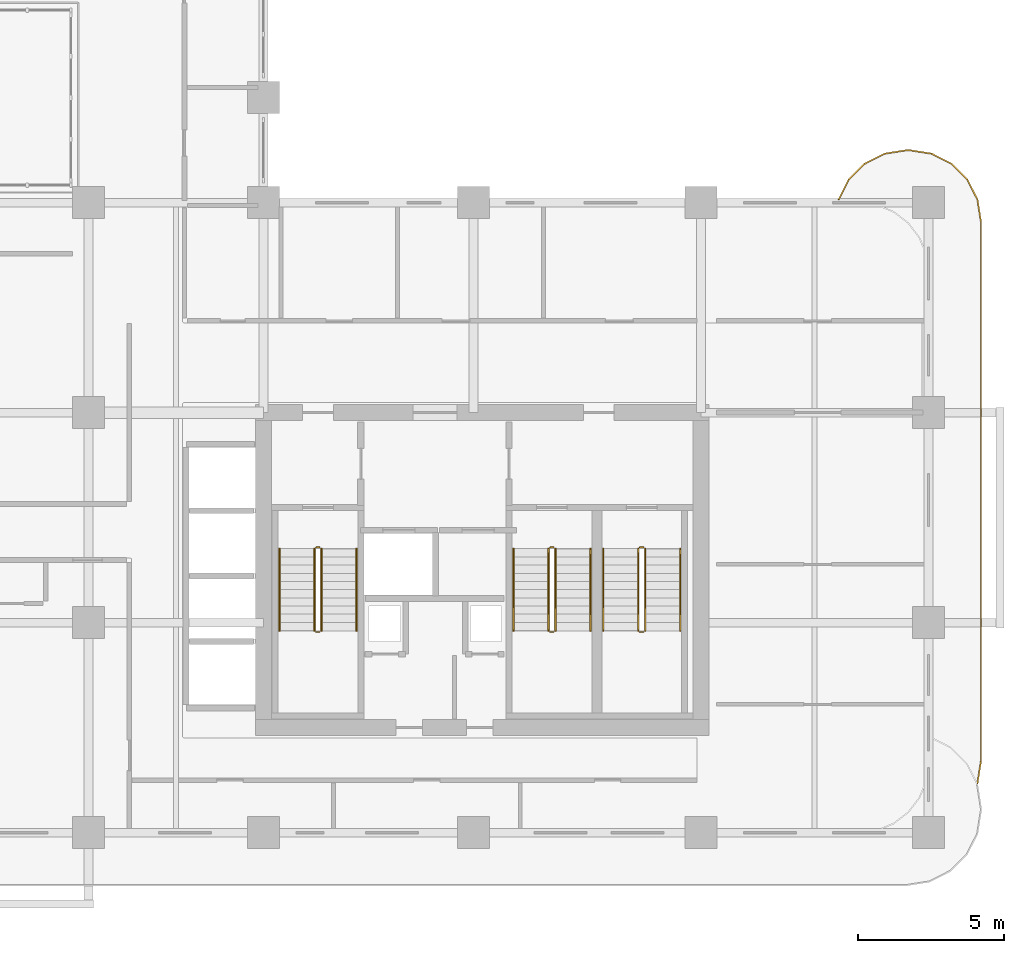
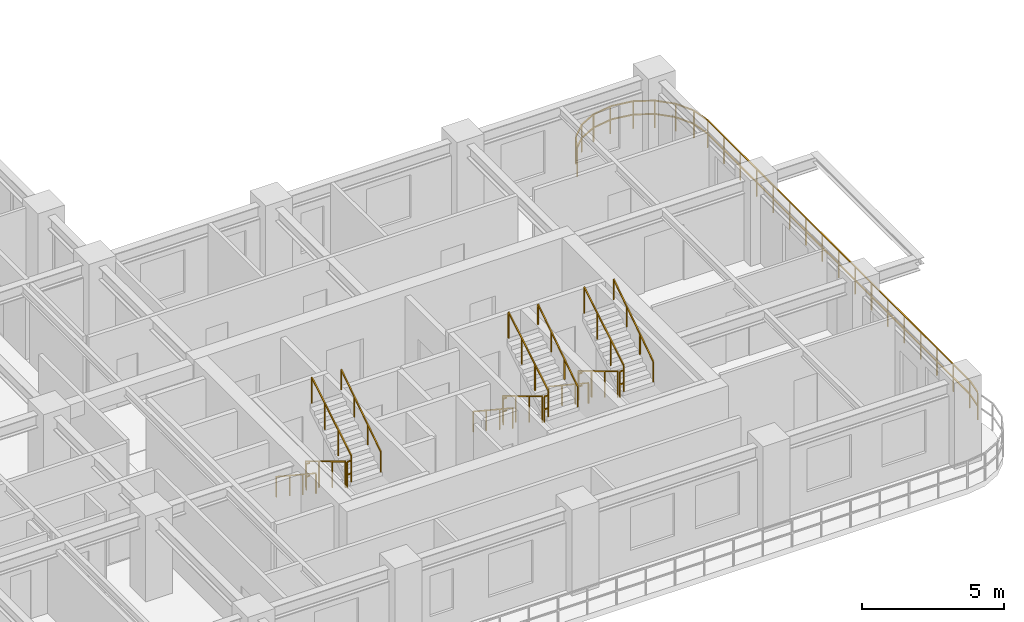
# One storey, part 20 of 22: 19 railings.
"""IFC4 building model written with IfcOpenShell, lengths in metres."""

from ifc_helpers import new_model, si_unit, derived_unit, direction, frame, origin, origin_2d, place, context, subcontext, project, spatial, rectangle, extrude, material, type_object, element, save


model = new_model("IFC4")

# Units and contexts
model_context = context("Model", 3, precision=1e-05, world=origin(), true_north=direction((0.0, 1.0)))
body_context = subcontext(model_context, "Body", "Model", "MODEL_VIEW")
ifc_project = project(units=[si_unit("LENGTHUNIT", "METRE"), si_unit("AREAUNIT", "SQUARE_METRE"), si_unit("VOLUMEUNIT", "CUBIC_METRE"), si_unit("PLANEANGLEUNIT", "RADIAN"), si_unit("MASSUNIT", "GRAM", prefix="KILO"), si_unit("THERMODYNAMICTEMPERATUREUNIT", "KELVIN"), si_unit("POWERUNIT", "WATT"), derived_unit("THERMALTRANSMITTANCEUNIT", [(si_unit("POWERUNIT", "WATT"), 1), (si_unit("AREAUNIT", "SQUARE_METRE"), -1), (si_unit("THERMODYNAMICTEMPERATUREUNIT", "KELVIN"), -1)])], contexts=[model_context])

# Site, building, storey
site_placement = place(None, origin())
site = spatial("IfcSite", under=ifc_project, at=site_placement, CompositionType="ELEMENT")
building_placement = place(site_placement, origin())
building = spatial("IfcBuilding", under=site, at=building_placement, Name="Zahravan Archway Hotel and Residences", CompositionType="ELEMENT")
storey_placement = place(building_placement, frame((0.0, 0.0, 73.10009765625)))
storey = spatial("IfcBuildingStorey", under=building, at=storey_placement, Name="L17", CompositionType="ELEMENT", Elevation=73.10009765625)

# Railings
ifc_material_1 = material(Name="Bronze & Laminated Glass Balustrade", Category="glass")
railing_type_1 = type_object("IfcRailingType", Name="RL-BAL-1200", PredefinedType="BALUSTRADE", material=ifc_material_1)
railing_1_placement = place(storey_placement, frame((54.52001953125, 21.70703125, 0.0)))
element("IfcRailing", 1, at=railing_1_placement, inside=storey, type_object=railing_type_1, Name="L17 Balustrade RL-SLB-BAL-L17-EA-1", PredefinedType="BALUSTRADE", context=body_context, shape_type="SweptSolid", body=[
    extrude(rectangle(XDim=0.048095703125, YDim=0.048095703125, at=origin_2d()), frame((0.0, 0.0, 1.17578125), z_axis=(0.453825591531, 0.891090529897, 0.0), x_axis=(-0.891090529897, 0.453825591531, 0.0)), (0.0, 0.0, 1.0), 0.7666015625),
    extrude(rectangle(XDim=0.048095703125, YDim=0.048095703125, at=origin_2d()), frame((0.0, 0.0, 0.60009765625), z_axis=(0.453825591531, 0.891090529897, 0.0), x_axis=(-0.891090529897, 0.453825591531, 0.0)), (0.0, 0.0, 1.0), 0.7666015625),
    extrude(rectangle(XDim=0.048095703125, YDim=0.048095703125, at=origin_2d()), frame((0.347900390625, 0.68310546875, 1.17578125), z_axis=(0.707106781187, 0.707106781187, 0.0), x_axis=(-0.707106781187, 0.707106781187, 0.0)), (0.0, 0.0, 1.0), 0.7666015625),
    extrude(rectangle(XDim=0.048095703125, YDim=0.048095703125, at=origin_2d()), frame((0.347900390625, 0.68310546875, 0.60009765625), z_axis=(0.707106781187, 0.707106781187, 0.0), x_axis=(-0.707106781187, 0.707106781187, 0.0)), (0.0, 0.0, 1.0), 0.7666015625),
    extrude(rectangle(XDim=0.048095703125, YDim=0.048095703125, at=origin_2d()), frame((0.889892578125, 1.22509765625, 1.17578125), z_axis=(0.891090529897, 0.453825591531, 0.0), x_axis=(-0.453825591531, 0.891090529897, 0.0)), (0.0, 0.0, 1.0), 0.7666015625),
    extrude(rectangle(XDim=0.048095703125, YDim=0.048095703125, at=origin_2d()), frame((0.889892578125, 1.22509765625, 0.60009765625), z_axis=(0.891090529897, 0.453825591531, 0.0), x_axis=(-0.453825591531, 0.891090529897, 0.0)), (0.0, 0.0, 1.0), 0.7666015625),
    extrude(rectangle(XDim=0.048095703125, YDim=0.048095703125, at=origin_2d()), frame((1.572998046875, 1.572998046875, 1.17578125), z_axis=(0.987695728695, 0.156387811283, 0.0), x_axis=(-0.156387811283, 0.987695728695, 0.0)), (0.0, 0.0, 1.0), 0.7666015625),
    extrude(rectangle(XDim=0.048095703125, YDim=0.048095703125, at=origin_2d()), frame((1.572998046875, 1.572998046875, 0.60009765625), z_axis=(0.987695728695, 0.156387811283, 0.0), x_axis=(-0.156387811283, 0.987695728695, 0.0)), (0.0, 0.0, 1.0), 0.7666015625),
    extrude(rectangle(XDim=0.048095703125, YDim=0.048095703125, at=origin_2d()), frame((2.330078125, 1.69287109375, 1.17578125), z_axis=(1.0, 0.0, 0.0), x_axis=(0.0, 1.0, 0.0)), (0.0, 0.0, 1.0), 0.099853515625),
    extrude(rectangle(XDim=0.048095703125, YDim=0.048095703125, at=origin_2d()), frame((2.330078125, 1.69287109375, 0.60009765625), z_axis=(1.0, 0.0, 0.0), x_axis=(0.0, 1.0, 0.0)), (0.0, 0.0, 1.0), 0.099853515625),
    extrude(rectangle(XDim=0.048095703125, YDim=0.048095703125, at=origin_2d()), frame((2.429931640625, 1.69287109375, 1.17578125), z_axis=(0.987695728695, -0.156387811283, 0.0), x_axis=(0.156387811283, 0.987695728695, 0.0)), (0.0, 0.0, 1.0), 0.7666015625),
    extrude(rectangle(XDim=0.048095703125, YDim=0.048095703125, at=origin_2d()), frame((2.429931640625, 1.69287109375, 0.60009765625), z_axis=(0.987695728695, -0.156387811283, 0.0), x_axis=(0.156387811283, 0.987695728695, 0.0)), (0.0, 0.0, 1.0), 0.7666015625),
    extrude(rectangle(XDim=0.048095703125, YDim=0.048095703125, at=origin_2d()), frame((3.18701171875, 1.572998046875, 1.17578125), z_axis=(0.891090529897, -0.453825591531, 0.0), x_axis=(0.453825591531, 0.891090529897, 0.0)), (0.0, 0.0, 1.0), 0.7666015625),
    extrude(rectangle(XDim=0.048095703125, YDim=0.048095703125, at=origin_2d()), frame((3.18701171875, 1.572998046875, 0.60009765625), z_axis=(0.891090529897, -0.453825591531, 0.0), x_axis=(0.453825591531, 0.891090529897, 0.0)), (0.0, 0.0, 1.0), 0.7666015625),
    extrude(rectangle(XDim=0.048095703125, YDim=0.048095703125, at=origin_2d()), frame((3.8701171875, 1.22509765625, 1.17578125), z_axis=(0.707106781187, -0.707106781187, 0.0), x_axis=(0.707106781187, 0.707106781187, 0.0)), (0.0, 0.0, 1.0), 0.7666015625),
    extrude(rectangle(XDim=0.048095703125, YDim=0.048095703125, at=origin_2d()), frame((3.8701171875, 1.22509765625, 0.60009765625), z_axis=(0.707106781187, -0.707106781187, 0.0), x_axis=(0.707106781187, 0.707106781187, 0.0)), (0.0, 0.0, 1.0), 0.7666015625),
    extrude(rectangle(XDim=0.048095703125, YDim=0.048095703125, at=origin_2d()), frame((4.412109375, 0.68310546875, 1.17578125), z_axis=(0.453825591531, -0.891090529897, 0.0), x_axis=(0.891090529897, 0.453825591531, 0.0)), (0.0, 0.0, 1.0), 0.7666015625),
    extrude(rectangle(XDim=0.048095703125, YDim=0.048095703125, at=origin_2d()), frame((4.412109375, 0.68310546875, 0.60009765625), z_axis=(0.453825591531, -0.891090529897, 0.0), x_axis=(0.891090529897, 0.453825591531, 0.0)), (0.0, 0.0, 1.0), 0.7666015625),
    extrude(rectangle(XDim=0.048095703125, YDim=0.048095703125, at=origin_2d()), frame((4.760009765625, 0.0, 1.17578125), z_axis=(0.156387811283, -0.987695728695, 0.0), x_axis=(0.987695728695, 0.156387811283, 0.0)), (0.0, 0.0, 1.0), 0.7666015625),
    extrude(rectangle(XDim=0.048095703125, YDim=0.048095703125, at=origin_2d()), frame((4.760009765625, 0.0, 0.60009765625), z_axis=(0.156387811283, -0.987695728695, 0.0), x_axis=(0.987695728695, 0.156387811283, 0.0)), (0.0, 0.0, 1.0), 0.7666015625),
    extrude(rectangle(XDim=0.048095703125, YDim=0.048095703125, at=origin_2d()), frame((4.8798828125, -0.757080078125, 1.17578125), z_axis=(0.0, -1.0, 0.0), x_axis=(1.0, 0.0, 0.0)), (0.0, 0.0, 1.0), 18.5),
    extrude(rectangle(XDim=0.048095703125, YDim=0.048095703125, at=origin_2d()), frame((4.8798828125, -0.757080078125, 0.60009765625), z_axis=(0.0, -1.0, 0.0), x_axis=(1.0, 0.0, 0.0)), (0.0, 0.0, 1.0), 18.5),
    extrude(rectangle(XDim=0.048095703125, YDim=0.048095703125, at=origin_2d()), frame((4.8798828125, -19.257080078125, 1.17578125), z_axis=(-0.156387811283, -0.987695728695, 0.0), x_axis=(0.987695728695, -0.156387811283, 0.0)), (0.0, 0.0, 1.0), 0.7666015625),
    extrude(rectangle(XDim=0.048095703125, YDim=0.048095703125, at=origin_2d()), frame((4.8798828125, -19.257080078125, 0.60009765625), z_axis=(-0.156387811283, -0.987695728695, 0.0), x_axis=(0.987695728695, -0.156387811283, 0.0)), (0.0, 0.0, 1.0), 0.7666015625),
    extrude(rectangle(XDim=0.0419921875, YDim=0.0419921875, at=origin_2d()), origin(), (0.0, 0.0, 1.0), 1.15185546875),
    extrude(rectangle(XDim=0.0419921875, YDim=0.0419921875, at=origin_2d()), frame((0.347900390625, 0.68310546875, 0.0)), (0.0, 0.0, 1.0), 1.15185546875),
    extrude(rectangle(XDim=0.0419921875, YDim=0.0419921875, at=origin_2d()), frame((0.889892578125, 1.22509765625, 0.0)), (0.0, 0.0, 1.0), 1.15185546875),
    extrude(rectangle(XDim=0.0419921875, YDim=0.0419921875, at=origin_2d()), frame((1.572998046875, 1.572998046875, 0.0)), (0.0, 0.0, 1.0), 1.15185546875),
    extrude(rectangle(XDim=0.0419921875, YDim=0.0419921875, at=origin_2d()), frame((2.330078125, 1.69287109375, 0.0)), (0.0, 0.0, 1.0), 1.15185546875),
    extrude(rectangle(XDim=0.0419921875, YDim=0.0419921875, at=origin_2d()), frame((3.18701171875, 1.572998046875, 0.0)), (0.0, 0.0, 1.0), 1.15185546875),
    extrude(rectangle(XDim=0.0419921875, YDim=0.0419921875, at=origin_2d()), frame((3.8701171875, 1.22509765625, 0.0)), (0.0, 0.0, 1.0), 1.15185546875),
    extrude(rectangle(XDim=0.0419921875, YDim=0.0419921875, at=origin_2d()), frame((4.412109375, 0.68310546875, 0.0)), (0.0, 0.0, 1.0), 1.15185546875),
    extrude(rectangle(XDim=0.0419921875, YDim=0.0419921875, at=origin_2d()), frame((4.760009765625, 0.0, 0.0)), (0.0, 0.0, 1.0), 1.15185546875),
    extrude(rectangle(XDim=0.0419921875, YDim=0.0419921875, at=origin_2d()), frame((4.8798828125, -0.757080078125, 0.0)), (0.0, 0.0, 1.0), 1.15185546875),
    extrude(rectangle(XDim=0.0419921875, YDim=0.0419921875, at=origin_2d()), frame((4.8798828125, -1.913330078125, 0.0)), (0.0, 0.0, 1.0), 1.15185546875),
    extrude(rectangle(XDim=0.0419921875, YDim=0.0419921875, at=origin_2d()), frame((4.8798828125, -3.069580078125, 0.0)), (0.0, 0.0, 1.0), 1.15185546875),
    extrude(rectangle(XDim=0.0419921875, YDim=0.0419921875, at=origin_2d()), frame((4.8798828125, -4.225830078125, 0.0)), (0.0, 0.0, 1.0), 1.15185546875),
    extrude(rectangle(XDim=0.0419921875, YDim=0.0419921875, at=origin_2d()), frame((4.8798828125, -5.382080078125, 0.0)), (0.0, 0.0, 1.0), 1.15185546875),
    extrude(rectangle(XDim=0.0419921875, YDim=0.0419921875, at=origin_2d()), frame((4.8798828125, -6.538330078125, 0.0)), (0.0, 0.0, 1.0), 1.15185546875),
    extrude(rectangle(XDim=0.0419921875, YDim=0.0419921875, at=origin_2d()), frame((4.8798828125, -7.694580078125, 0.0)), (0.0, 0.0, 1.0), 1.15185546875),
    extrude(rectangle(XDim=0.0419921875, YDim=0.0419921875, at=origin_2d()), frame((4.8798828125, -8.850830078125, 0.0)), (0.0, 0.0, 1.0), 1.15185546875),
    extrude(rectangle(XDim=0.0419921875, YDim=0.0419921875, at=origin_2d()), frame((4.8798828125, -10.007080078125, 0.0)), (0.0, 0.0, 1.0), 1.15185546875),
    extrude(rectangle(XDim=0.0419921875, YDim=0.0419921875, at=origin_2d()), frame((4.8798828125, -11.163330078125, 0.0)), (0.0, 0.0, 1.0), 1.15185546875),
    extrude(rectangle(XDim=0.0419921875, YDim=0.0419921875, at=origin_2d()), frame((4.8798828125, -12.319580078125, 0.0)), (0.0, 0.0, 1.0), 1.15185546875),
    extrude(rectangle(XDim=0.0419921875, YDim=0.0419921875, at=origin_2d()), frame((4.8798828125, -13.475830078125, 0.0)), (0.0, 0.0, 1.0), 1.15185546875),
    extrude(rectangle(XDim=0.0419921875, YDim=0.0419921875, at=origin_2d()), frame((4.8798828125, -14.632080078125, 0.0)), (0.0, 0.0, 1.0), 1.15185546875),
    extrude(rectangle(XDim=0.0419921875, YDim=0.0419921875, at=origin_2d()), frame((4.8798828125, -15.788330078125, 0.0)), (0.0, 0.0, 1.0), 1.15185546875),
    extrude(rectangle(XDim=0.0419921875, YDim=0.0419921875, at=origin_2d()), frame((4.8798828125, -16.944580078125, 0.0)), (0.0, 0.0, 1.0), 1.15185546875),
    extrude(rectangle(XDim=0.0419921875, YDim=0.0419921875, at=origin_2d()), frame((4.8798828125, -18.100830078125, 0.0)), (0.0, 0.0, 1.0), 1.15185546875),
    extrude(rectangle(XDim=0.0419921875, YDim=0.0419921875, at=origin_2d()), frame((4.8798828125, -19.257080078125, 0.0)), (0.0, 0.0, 1.0), 1.15185546875),
    extrude(rectangle(XDim=0.0419921875, YDim=0.0419921875, at=origin_2d()), frame((4.760009765625, -20.01416015625, 0.0)), (0.0, 0.0, 1.0), 1.15185546875),
])
ifc_material_2 = material(Name="Painted Tubular Steel", Category="steel")
railing_type_2 = type_object("IfcRailingType", Name="RL-STG-1150", PredefinedType="GUARDRAIL", material=ifc_material_2)
railing_2_placement = place(storey_placement, frame((36.550048828125, 9.72998046875, 0.16796875)))
element("IfcRailing", 2, at=railing_2_placement, inside=storey, type_object=railing_type_2, Name="L17 ST-A1 stair guard 1", PredefinedType="GUARDRAIL", context=body_context, shape_type="SweptSolid", body=[
    extrude(rectangle(XDim=0.048095703125, YDim=0.048095703125, at=origin_2d()), frame((0.0, 0.0, 1.1259765625), z_axis=(0.0, -0.857242210791, 0.514913383045), x_axis=(1.0, 0.0, 0.0)), (0.0, 0.0, 1.0), 3.266357421875),
    extrude(rectangle(XDim=0.0419921875, YDim=0.0419921875, at=origin_2d()), origin(), (0.0, 0.0, 1.0), 1.101806640625),
    extrude(rectangle(XDim=0.0419921875, YDim=0.0419921875, at=origin_2d()), frame((0.0, -0.933349609375, 0.560546875)), (0.0, 0.0, 1.0), 1.101806640625),
    extrude(rectangle(XDim=0.0419921875, YDim=0.0419921875, at=origin_2d()), frame((0.0, -1.86669921875, 1.121337890625)), (0.0, 0.0, 1.0), 1.101806640625),
    extrude(rectangle(XDim=0.0419921875, YDim=0.0419921875, at=origin_2d()), frame((0.0, -2.800048828125, 1.681884765625)), (0.0, 0.0, 1.0), 1.101806640625),
])
railing_3_placement = place(storey_placement, frame((36.60009765625, 6.8798828125, 1.849853515625)))
element("IfcRailing", 3, at=railing_3_placement, inside=storey, type_object=railing_type_2, Name="L17 ST-A1 stair guard 2", PredefinedType="GUARDRAIL", context=body_context, shape_type="SweptSolid", body=[
    extrude(rectangle(XDim=0.048095703125, YDim=0.048095703125, at=origin_2d()), frame((0.0, 0.0, 1.1259765625), z_axis=(1.0, 0.0, 0.0), x_axis=(0.0, 1.0, 0.0)), (0.0, 0.0, 1.0), 0.139892578125),
    extrude(rectangle(XDim=0.048095703125, YDim=0.048095703125, at=origin_2d()), frame((0.0, 0.0, 0.574951171875), z_axis=(1.0, 0.0, 0.0), x_axis=(0.0, 1.0, 0.0)), (0.0, 0.0, 1.0), 0.139892578125),
    extrude(rectangle(XDim=0.0419921875, YDim=0.0419921875, at=origin_2d()), origin(), (0.0, 0.0, 1.0), 1.101806640625),
])
railing_4_placement = place(storey_placement, frame((36.7900390625, 6.929931640625, 2.01806640625)))
element("IfcRailing", 4, at=railing_4_placement, inside=storey, type_object=railing_type_2, Name="L17 ST-A1 stair guard 3", PredefinedType="GUARDRAIL", context=body_context, shape_type="SweptSolid", body=[
    extrude(rectangle(XDim=0.048095703125, YDim=0.048095703125, at=origin_2d()), frame((0.0, 0.0, 1.1259765625), z_axis=(0.0, 0.857242210791, 0.514913383045), x_axis=(-1.0, 0.0, 0.0)), (0.0, 0.0, 1.0), 3.266357421875),
    extrude(rectangle(XDim=0.0419921875, YDim=0.0419921875, at=origin_2d()), origin(), (0.0, 0.0, 1.0), 1.101806640625),
    extrude(rectangle(XDim=0.0419921875, YDim=0.0419921875, at=origin_2d()), frame((0.0, 0.933349609375, 0.560546875)), (0.0, 0.0, 1.0), 1.101806640625),
    extrude(rectangle(XDim=0.0419921875, YDim=0.0419921875, at=origin_2d()), frame((0.0, 1.86669921875, 1.121337890625)), (0.0, 0.0, 1.0), 1.101806640625),
    extrude(rectangle(XDim=0.0419921875, YDim=0.0419921875, at=origin_2d()), frame((0.0, 2.800048828125, 1.681884765625)), (0.0, 0.0, 1.0), 1.101806640625),
])
railing_5_placement = place(storey_placement, frame((36.60009765625, 9.780029296875, 0.0)))
element("IfcRailing", 5, at=railing_5_placement, inside=storey, type_object=railing_type_2, Name="L17 ST-A1 stair guard 4", PredefinedType="GUARDRAIL", context=body_context, shape_type="SweptSolid", body=[
    extrude(rectangle(XDim=0.048095703125, YDim=0.048095703125, at=origin_2d()), frame((0.0, 0.0, 1.1259765625), z_axis=(1.0, 0.0, 0.0), x_axis=(0.0, 1.0, 0.0)), (0.0, 0.0, 1.0), 0.139892578125),
    extrude(rectangle(XDim=0.048095703125, YDim=0.048095703125, at=origin_2d()), frame((0.0, 0.0, 0.574951171875), z_axis=(1.0, 0.0, 0.0), x_axis=(0.0, 1.0, 0.0)), (0.0, 0.0, 1.0), 0.139892578125),
    extrude(rectangle(XDim=0.0419921875, YDim=0.0419921875, at=origin_2d()), origin(), (0.0, 0.0, 1.0), 1.101806640625),
])
railing_6_placement = place(storey_placement, frame((44.570068359375, 9.72998046875, 0.16796875)))
element("IfcRailing", 6, at=railing_6_placement, inside=storey, type_object=railing_type_2, Name="L17 ST-A2 stair guard 1", PredefinedType="GUARDRAIL", context=body_context, shape_type="SweptSolid", body=[
    extrude(rectangle(XDim=0.048095703125, YDim=0.048095703125, at=origin_2d()), frame((0.0, 0.0, 1.1259765625), z_axis=(0.0, -0.857242210791, 0.514913383045), x_axis=(1.0, 0.0, 0.0)), (0.0, 0.0, 1.0), 3.266357421875),
    extrude(rectangle(XDim=0.0419921875, YDim=0.0419921875, at=origin_2d()), origin(), (0.0, 0.0, 1.0), 1.101806640625),
    extrude(rectangle(XDim=0.0419921875, YDim=0.0419921875, at=origin_2d()), frame((0.0, -0.933349609375, 0.560546875)), (0.0, 0.0, 1.0), 1.101806640625),
    extrude(rectangle(XDim=0.0419921875, YDim=0.0419921875, at=origin_2d()), frame((0.0, -1.86669921875, 1.121337890625)), (0.0, 0.0, 1.0), 1.101806640625),
    extrude(rectangle(XDim=0.0419921875, YDim=0.0419921875, at=origin_2d()), frame((0.0, -2.800048828125, 1.681884765625)), (0.0, 0.0, 1.0), 1.101806640625),
])
railing_7_placement = place(storey_placement, frame((44.6201171875, 6.8798828125, 1.849853515625)))
element("IfcRailing", 7, at=railing_7_placement, inside=storey, type_object=railing_type_2, Name="L17 ST-A2 stair guard 2", PredefinedType="GUARDRAIL", context=body_context, shape_type="SweptSolid", body=[
    extrude(rectangle(XDim=0.048095703125, YDim=0.048095703125, at=origin_2d()), frame((0.0, 0.0, 1.1259765625), z_axis=(1.0, 0.0, 0.0), x_axis=(0.0, 1.0, 0.0)), (0.0, 0.0, 1.0), 0.139892578125),
    extrude(rectangle(XDim=0.048095703125, YDim=0.048095703125, at=origin_2d()), frame((0.0, 0.0, 0.574951171875), z_axis=(1.0, 0.0, 0.0), x_axis=(0.0, 1.0, 0.0)), (0.0, 0.0, 1.0), 0.139892578125),
    extrude(rectangle(XDim=0.0419921875, YDim=0.0419921875, at=origin_2d()), origin(), (0.0, 0.0, 1.0), 1.101806640625),
])
railing_8_placement = place(storey_placement, frame((44.81005859375, 6.929931640625, 2.01806640625)))
element("IfcRailing", 8, at=railing_8_placement, inside=storey, type_object=railing_type_2, Name="L17 ST-A2 stair guard 3", PredefinedType="GUARDRAIL", context=body_context, shape_type="SweptSolid", body=[
    extrude(rectangle(XDim=0.048095703125, YDim=0.048095703125, at=origin_2d()), frame((0.0, 0.0, 1.1259765625), z_axis=(0.0, 0.857242210791, 0.514913383045), x_axis=(-1.0, 0.0, 0.0)), (0.0, 0.0, 1.0), 3.266357421875),
    extrude(rectangle(XDim=0.0419921875, YDim=0.0419921875, at=origin_2d()), origin(), (0.0, 0.0, 1.0), 1.101806640625),
    extrude(rectangle(XDim=0.0419921875, YDim=0.0419921875, at=origin_2d()), frame((0.0, 0.933349609375, 0.560546875)), (0.0, 0.0, 1.0), 1.101806640625),
    extrude(rectangle(XDim=0.0419921875, YDim=0.0419921875, at=origin_2d()), frame((0.0, 1.86669921875, 1.121337890625)), (0.0, 0.0, 1.0), 1.101806640625),
    extrude(rectangle(XDim=0.0419921875, YDim=0.0419921875, at=origin_2d()), frame((0.0, 2.800048828125, 1.681884765625)), (0.0, 0.0, 1.0), 1.101806640625),
])
railing_9_placement = place(storey_placement, frame((44.6201171875, 9.780029296875, 0.0)))
element("IfcRailing", 9, at=railing_9_placement, inside=storey, type_object=railing_type_2, Name="L17 ST-A2 stair guard 4", PredefinedType="GUARDRAIL", context=body_context, shape_type="SweptSolid", body=[
    extrude(rectangle(XDim=0.048095703125, YDim=0.048095703125, at=origin_2d()), frame((0.0, 0.0, 1.1259765625), z_axis=(1.0, 0.0, 0.0), x_axis=(0.0, 1.0, 0.0)), (0.0, 0.0, 1.0), 0.139892578125),
    extrude(rectangle(XDim=0.048095703125, YDim=0.048095703125, at=origin_2d()), frame((0.0, 0.0, 0.574951171875), z_axis=(1.0, 0.0, 0.0), x_axis=(0.0, 1.0, 0.0)), (0.0, 0.0, 1.0), 0.139892578125),
    extrude(rectangle(XDim=0.0419921875, YDim=0.0419921875, at=origin_2d()), origin(), (0.0, 0.0, 1.0), 1.101806640625),
])
railing_10_placement = place(storey_placement, frame((47.64990234375, 9.72998046875, 0.16796875)))
element("IfcRailing", 10, at=railing_10_placement, inside=storey, type_object=railing_type_2, Name="L17 ST-A3 stair guard 1", PredefinedType="GUARDRAIL", context=body_context, shape_type="SweptSolid", body=[
    extrude(rectangle(XDim=0.048095703125, YDim=0.048095703125, at=origin_2d()), frame((0.0, 0.0, 1.1259765625), z_axis=(0.0, -0.857242210791, 0.514913383045), x_axis=(1.0, 0.0, 0.0)), (0.0, 0.0, 1.0), 3.266357421875),
    extrude(rectangle(XDim=0.0419921875, YDim=0.0419921875, at=origin_2d()), origin(), (0.0, 0.0, 1.0), 1.101806640625),
    extrude(rectangle(XDim=0.0419921875, YDim=0.0419921875, at=origin_2d()), frame((0.0, -0.933349609375, 0.560546875)), (0.0, 0.0, 1.0), 1.101806640625),
    extrude(rectangle(XDim=0.0419921875, YDim=0.0419921875, at=origin_2d()), frame((0.0, -1.86669921875, 1.121337890625)), (0.0, 0.0, 1.0), 1.101806640625),
    extrude(rectangle(XDim=0.0419921875, YDim=0.0419921875, at=origin_2d()), frame((0.0, -2.800048828125, 1.681884765625)), (0.0, 0.0, 1.0), 1.101806640625),
])
railing_11_placement = place(storey_placement, frame((47.699951171875, 6.8798828125, 1.849853515625)))
element("IfcRailing", 11, at=railing_11_placement, inside=storey, type_object=railing_type_2, Name="L17 ST-A3 stair guard 2", PredefinedType="GUARDRAIL", context=body_context, shape_type="SweptSolid", body=[
    extrude(rectangle(XDim=0.048095703125, YDim=0.048095703125, at=origin_2d()), frame((0.0, 0.0, 1.1259765625), z_axis=(1.0, 0.0, 0.0), x_axis=(0.0, 1.0, 0.0)), (0.0, 0.0, 1.0), 0.14013671875),
    extrude(rectangle(XDim=0.048095703125, YDim=0.048095703125, at=origin_2d()), frame((0.0, 0.0, 0.574951171875), z_axis=(1.0, 0.0, 0.0), x_axis=(0.0, 1.0, 0.0)), (0.0, 0.0, 1.0), 0.14013671875),
    extrude(rectangle(XDim=0.0419921875, YDim=0.0419921875, at=origin_2d()), origin(), (0.0, 0.0, 1.0), 1.101806640625),
])
railing_12_placement = place(storey_placement, frame((47.889892578125, 6.929931640625, 2.01806640625)))
element("IfcRailing", 12, at=railing_12_placement, inside=storey, type_object=railing_type_2, Name="L17 ST-A3 stair guard 3", PredefinedType="GUARDRAIL", context=body_context, shape_type="SweptSolid", body=[
    extrude(rectangle(XDim=0.048095703125, YDim=0.048095703125, at=origin_2d()), frame((0.0, 0.0, 1.1259765625), z_axis=(0.0, 0.857242210791, 0.514913383045), x_axis=(-1.0, 0.0, 0.0)), (0.0, 0.0, 1.0), 3.266357421875),
    extrude(rectangle(XDim=0.0419921875, YDim=0.0419921875, at=origin_2d()), origin(), (0.0, 0.0, 1.0), 1.101806640625),
    extrude(rectangle(XDim=0.0419921875, YDim=0.0419921875, at=origin_2d()), frame((0.0, 0.933349609375, 0.560546875)), (0.0, 0.0, 1.0), 1.101806640625),
    extrude(rectangle(XDim=0.0419921875, YDim=0.0419921875, at=origin_2d()), frame((0.0, 1.86669921875, 1.121337890625)), (0.0, 0.0, 1.0), 1.101806640625),
    extrude(rectangle(XDim=0.0419921875, YDim=0.0419921875, at=origin_2d()), frame((0.0, 2.800048828125, 1.681884765625)), (0.0, 0.0, 1.0), 1.101806640625),
])
railing_13_placement = place(storey_placement, frame((47.699951171875, 9.780029296875, 0.0)))
element("IfcRailing", 13, at=railing_13_placement, inside=storey, type_object=railing_type_2, Name="L17 ST-A3 stair guard 4", PredefinedType="GUARDRAIL", context=body_context, shape_type="SweptSolid", body=[
    extrude(rectangle(XDim=0.048095703125, YDim=0.048095703125, at=origin_2d()), frame((0.0, 0.0, 1.1259765625), z_axis=(1.0, 0.0, 0.0), x_axis=(0.0, 1.0, 0.0)), (0.0, 0.0, 1.0), 0.14013671875),
    extrude(rectangle(XDim=0.048095703125, YDim=0.048095703125, at=origin_2d()), frame((0.0, 0.0, 0.574951171875), z_axis=(1.0, 0.0, 0.0), x_axis=(0.0, 1.0, 0.0)), (0.0, 0.0, 1.0), 0.14013671875),
    extrude(rectangle(XDim=0.0419921875, YDim=0.0419921875, at=origin_2d()), origin(), (0.0, 0.0, 1.0), 1.101806640625),
])
ifc_material_3 = material(Name="Brushed Stainless Steel", Category="steel")
railing_type_3 = type_object("IfcRailingType", Name="RL-STH-900", PredefinedType="HANDRAIL", material=ifc_material_3)
railing_14_placement = place(storey_placement, frame((35.35009765625, 9.72998046875, 0.16796875)))
element("IfcRailing", 14, at=railing_14_placement, inside=storey, type_object=railing_type_3, Name="L17 ST-A1 stair handrail 1", PredefinedType="HANDRAIL", context=body_context, shape_type="SweptSolid", body=[
    extrude(rectangle(XDim=0.048095703125, YDim=0.048095703125, at=origin_2d()), frame((0.0, 0.0, 0.8759765625), z_axis=(0.0, -0.834326358476, 0.551270829586), x_axis=(1.0, 0.0, 0.0)), (0.0, 0.0, 1.0), 3.35595703125),
    extrude(rectangle(XDim=0.0419921875, YDim=0.0419921875, at=origin_2d()), origin(), (0.0, 0.0, 1.0), 0.851806640625),
    extrude(rectangle(XDim=0.0419921875, YDim=0.0419921875, at=origin_2d()), frame((0.0, -0.933349609375, 0.61669921875)), (0.0, 0.0, 1.0), 0.851806640625),
    extrude(rectangle(XDim=0.0419921875, YDim=0.0419921875, at=origin_2d()), frame((0.0, -1.86669921875, 1.2333984375)), (0.0, 0.0, 1.0), 0.851806640625),
    extrude(rectangle(XDim=0.0419921875, YDim=0.0419921875, at=origin_2d()), frame((0.0, -2.800048828125, 1.85009765625)), (0.0, 0.0, 1.0), 0.851806640625),
])
railing_15_placement = place(storey_placement, frame((37.989990234375, 6.929931640625, 2.01806640625)))
element("IfcRailing", 15, at=railing_15_placement, inside=storey, type_object=railing_type_3, Name="L17 ST-A1 stair handrail 2", PredefinedType="HANDRAIL", context=body_context, shape_type="SweptSolid", body=[
    extrude(rectangle(XDim=0.048095703125, YDim=0.048095703125, at=origin_2d()), frame((0.0, 0.0, 0.8759765625), z_axis=(0.0, 0.834326358476, 0.551270829586), x_axis=(-1.0, 0.0, 0.0)), (0.0, 0.0, 1.0), 3.35595703125),
    extrude(rectangle(XDim=0.0419921875, YDim=0.0419921875, at=origin_2d()), origin(), (0.0, 0.0, 1.0), 0.851806640625),
    extrude(rectangle(XDim=0.0419921875, YDim=0.0419921875, at=origin_2d()), frame((0.0, 0.933349609375, 0.61669921875)), (0.0, 0.0, 1.0), 0.851806640625),
    extrude(rectangle(XDim=0.0419921875, YDim=0.0419921875, at=origin_2d()), frame((0.0, 1.86669921875, 1.2333984375)), (0.0, 0.0, 1.0), 0.851806640625),
    extrude(rectangle(XDim=0.0419921875, YDim=0.0419921875, at=origin_2d()), frame((0.0, 2.800048828125, 1.85009765625)), (0.0, 0.0, 1.0), 0.851806640625),
])
railing_16_placement = place(storey_placement, frame((43.3701171875, 9.72998046875, 0.16796875)))
element("IfcRailing", 16, at=railing_16_placement, inside=storey, type_object=railing_type_3, Name="L17 ST-A2 stair handrail 1", PredefinedType="HANDRAIL", context=body_context, shape_type="SweptSolid", body=[
    extrude(rectangle(XDim=0.048095703125, YDim=0.048095703125, at=origin_2d()), frame((0.0, 0.0, 0.8759765625), z_axis=(0.0, -0.834326358476, 0.551270829586), x_axis=(1.0, 0.0, 0.0)), (0.0, 0.0, 1.0), 3.35595703125),
    extrude(rectangle(XDim=0.0419921875, YDim=0.0419921875, at=origin_2d()), origin(), (0.0, 0.0, 1.0), 0.851806640625),
    extrude(rectangle(XDim=0.0419921875, YDim=0.0419921875, at=origin_2d()), frame((0.0, -0.933349609375, 0.61669921875)), (0.0, 0.0, 1.0), 0.851806640625),
    extrude(rectangle(XDim=0.0419921875, YDim=0.0419921875, at=origin_2d()), frame((0.0, -1.86669921875, 1.2333984375)), (0.0, 0.0, 1.0), 0.851806640625),
    extrude(rectangle(XDim=0.0419921875, YDim=0.0419921875, at=origin_2d()), frame((0.0, -2.800048828125, 1.85009765625)), (0.0, 0.0, 1.0), 0.851806640625),
])
railing_17_placement = place(storey_placement, frame((46.010009765625, 6.929931640625, 2.01806640625)))
element("IfcRailing", 17, at=railing_17_placement, inside=storey, type_object=railing_type_3, Name="L17 ST-A2 stair handrail 2", PredefinedType="HANDRAIL", context=body_context, shape_type="SweptSolid", body=[
    extrude(rectangle(XDim=0.048095703125, YDim=0.048095703125, at=origin_2d()), frame((0.0, 0.0, 0.8759765625), z_axis=(0.0, 0.834326358476, 0.551270829586), x_axis=(-1.0, 0.0, 0.0)), (0.0, 0.0, 1.0), 3.35595703125),
    extrude(rectangle(XDim=0.0419921875, YDim=0.0419921875, at=origin_2d()), origin(), (0.0, 0.0, 1.0), 0.851806640625),
    extrude(rectangle(XDim=0.0419921875, YDim=0.0419921875, at=origin_2d()), frame((0.0, 0.933349609375, 0.61669921875)), (0.0, 0.0, 1.0), 0.851806640625),
    extrude(rectangle(XDim=0.0419921875, YDim=0.0419921875, at=origin_2d()), frame((0.0, 1.86669921875, 1.2333984375)), (0.0, 0.0, 1.0), 0.851806640625),
    extrude(rectangle(XDim=0.0419921875, YDim=0.0419921875, at=origin_2d()), frame((0.0, 2.800048828125, 1.85009765625)), (0.0, 0.0, 1.0), 0.851806640625),
])
railing_18_placement = place(storey_placement, frame((46.449951171875, 9.72998046875, 0.16796875)))
element("IfcRailing", 18, at=railing_18_placement, inside=storey, type_object=railing_type_3, Name="L17 ST-A3 stair handrail 1", PredefinedType="HANDRAIL", context=body_context, shape_type="SweptSolid", body=[
    extrude(rectangle(XDim=0.048095703125, YDim=0.048095703125, at=origin_2d()), frame((0.0, 0.0, 0.8759765625), z_axis=(0.0, -0.834326358476, 0.551270829586), x_axis=(1.0, 0.0, 0.0)), (0.0, 0.0, 1.0), 3.35595703125),
    extrude(rectangle(XDim=0.0419921875, YDim=0.0419921875, at=origin_2d()), origin(), (0.0, 0.0, 1.0), 0.851806640625),
    extrude(rectangle(XDim=0.0419921875, YDim=0.0419921875, at=origin_2d()), frame((0.0, -0.933349609375, 0.61669921875)), (0.0, 0.0, 1.0), 0.851806640625),
    extrude(rectangle(XDim=0.0419921875, YDim=0.0419921875, at=origin_2d()), frame((0.0, -1.86669921875, 1.2333984375)), (0.0, 0.0, 1.0), 0.851806640625),
    extrude(rectangle(XDim=0.0419921875, YDim=0.0419921875, at=origin_2d()), frame((0.0, -2.800048828125, 1.85009765625)), (0.0, 0.0, 1.0), 0.851806640625),
])
railing_19_placement = place(storey_placement, frame((49.090087890625, 6.929931640625, 2.01806640625)))
element("IfcRailing", 19, at=railing_19_placement, inside=storey, type_object=railing_type_3, Name="L17 ST-A3 stair handrail 2", PredefinedType="HANDRAIL", context=body_context, shape_type="SweptSolid", body=[
    extrude(rectangle(XDim=0.048095703125, YDim=0.048095703125, at=origin_2d()), frame((0.0, 0.0, 0.8759765625), z_axis=(0.0, 0.834326358476, 0.551270829586), x_axis=(-1.0, 0.0, 0.0)), (0.0, 0.0, 1.0), 3.35595703125),
    extrude(rectangle(XDim=0.0419921875, YDim=0.0419921875, at=origin_2d()), origin(), (0.0, 0.0, 1.0), 0.851806640625),
    extrude(rectangle(XDim=0.0419921875, YDim=0.0419921875, at=origin_2d()), frame((0.0, 0.933349609375, 0.61669921875)), (0.0, 0.0, 1.0), 0.851806640625),
    extrude(rectangle(XDim=0.0419921875, YDim=0.0419921875, at=origin_2d()), frame((0.0, 1.86669921875, 1.2333984375)), (0.0, 0.0, 1.0), 0.851806640625),
    extrude(rectangle(XDim=0.0419921875, YDim=0.0419921875, at=origin_2d()), frame((0.0, 2.800048828125, 1.85009765625)), (0.0, 0.0, 1.0), 0.851806640625),
])

save(model, "model.ifc")
